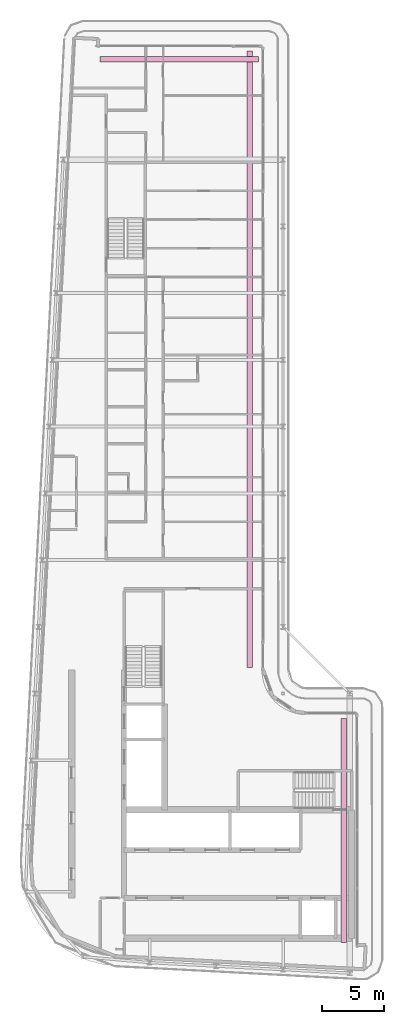
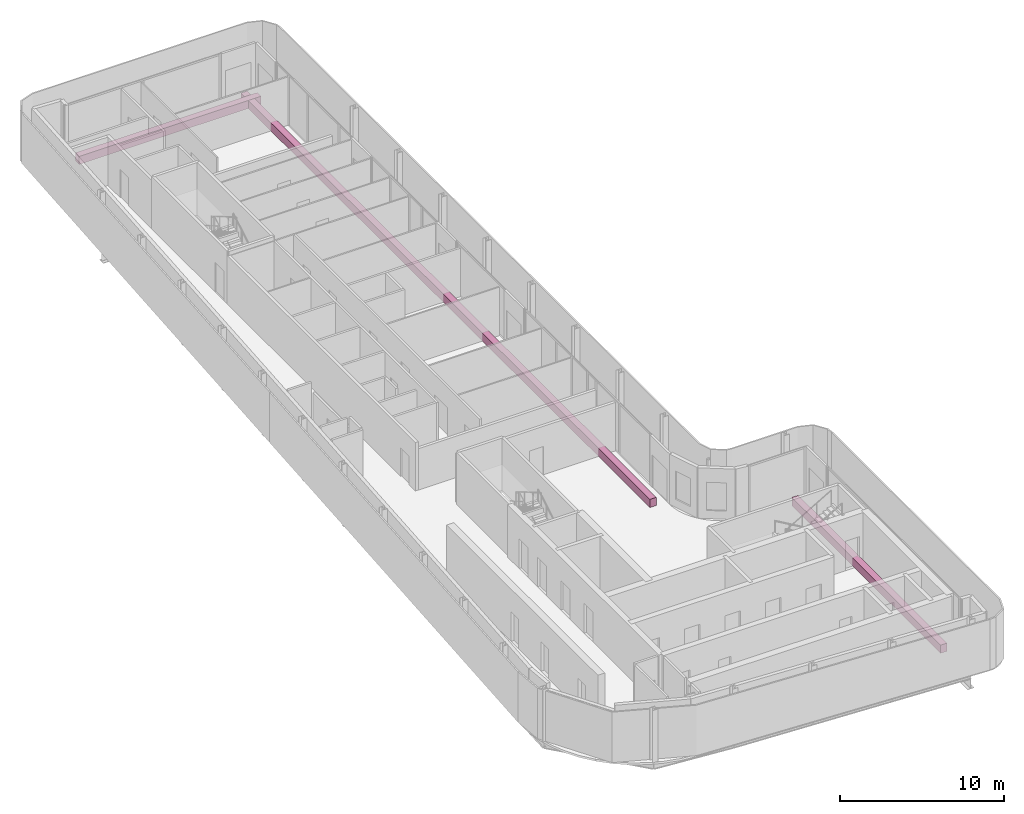
# One storey, part 18 of 18: 3 furniture elements.
"""IFC4 building model written with IfcOpenShell, lengths in metres."""

from ifc_helpers import new_model, si_unit, direction, frame, origin, origin_2d, place, context, subcontext, project, spatial, rectangle, extrude, material, type_object, element, save


model = new_model("IFC4")

# Units and contexts
model_context = context("Model", 3, precision=1e-05, world=origin(), true_north=direction((0.0, 1.0)))
body_context = subcontext(model_context, "Body", "Model", "MODEL_VIEW")
ifc_project = project(units=[si_unit("LENGTHUNIT", "METRE"), si_unit("AREAUNIT", "SQUARE_METRE"), si_unit("VOLUMEUNIT", "CUBIC_METRE"), si_unit("PLANEANGLEUNIT", "RADIAN"), si_unit("MASSUNIT", "GRAM", prefix="KILO")], contexts=[model_context])

# Site, building, storey
site_placement = place(None, origin())
site = spatial("IfcSite", under=ifc_project, at=site_placement, CompositionType="ELEMENT")
building_placement = place(site_placement, origin())
building = spatial("IfcBuilding", under=site, at=building_placement, Name="Kheshtan School and Residences Tower", CompositionType="ELEMENT")
storey_placement = place(building_placement, frame((0.0, 0.0, 385.10009765625)))
storey = spatial("IfcBuildingStorey", under=building, at=storey_placement, Name="L91", CompositionType="ELEMENT", Elevation=385.10009765625)

# Furniture
ifc_material = material(Name="Precast concrete C30/37 in terracotta finish", Category="masonry")
furniture_type = type_object("IfcFurnitureType", Name="Planter trough", AssemblyPlace="NOTDEFINED", PredefinedType="USERDEFINED", material=ifc_material)
furniture_1_placement = place(storey_placement, frame((39.196044921875, 96.925048828125, -0.000244140625), z_axis=(0.0, 0.0, 1.0), x_axis=(1.0, 0.0, 0.0)))
element("IfcFurniture", 1, at=furniture_1_placement, inside=storey, type_object=furniture_type, Name="Planter L91", ObjectType="PLANTER", PredefinedType="USERDEFINED", context=body_context, shape_type="SweptSolid", body=[
    extrude(rectangle(XDim=12.80810546875, YDim=0.449951171875, at=origin_2d()), origin(), (0.0, 0.0, 1.0), 0.60009765625),
])
furniture_2_placement = place(storey_placement, frame((44.925048828125, 72.6650390625, -0.000244140625), z_axis=(0.0, 0.0, 1.0), x_axis=(0.0, -1.0, 0.0)))
element("IfcFurniture", 2, at=furniture_2_placement, inside=storey, type_object=furniture_type, Name="Planter L91", ObjectType="PLANTER", PredefinedType="USERDEFINED", context=body_context, shape_type="SweptSolid", body=[
    extrude(rectangle(XDim=49.8701171875, YDim=0.449951171875, at=origin_2d()), origin(), (0.0, 0.0, 1.0), 0.60009765625),
])
furniture_3_placement = place(storey_placement, frame((52.52490234375, 34.528076171875, -0.000244140625), z_axis=(0.0, 0.0, 1.0), x_axis=(0.0, -1.0, 0.0)))
element("IfcFurniture", 3, at=furniture_3_placement, inside=storey, type_object=furniture_type, Name="Planter L91", ObjectType="PLANTER", PredefinedType="USERDEFINED", context=body_context, shape_type="SweptSolid", body=[
    extrude(rectangle(XDim=18.14404296875, YDim=0.449951171875, at=origin_2d()), origin(), (0.0, 0.0, 1.0), 0.60009765625),
])

save(model, "model.ifc")
